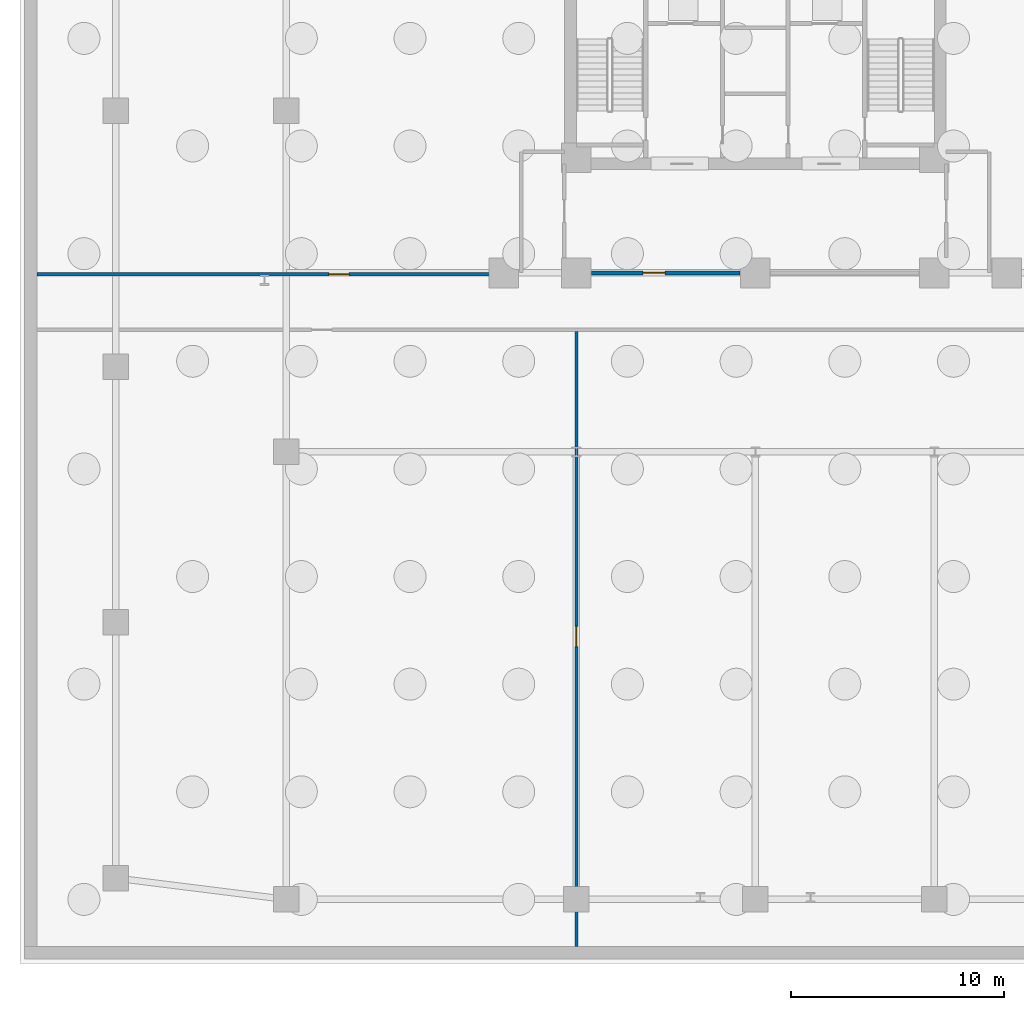
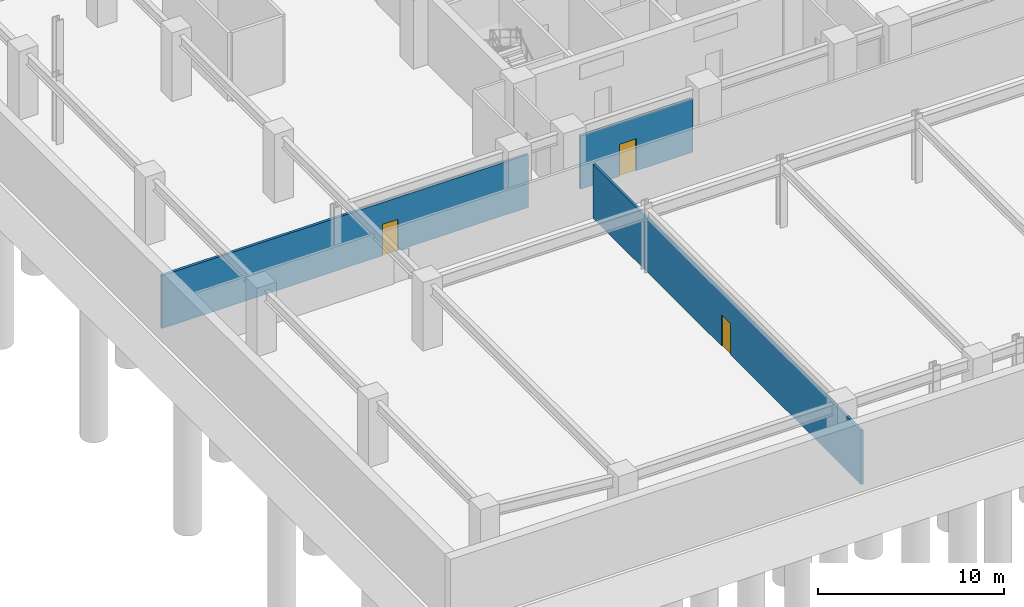
# One storey, part 6 of 15: 3 doors, 3 walls, 3 openings.
"""IFC4 building model written with IfcOpenShell, lengths in metres."""

from ifc_helpers import new_model, si_unit, derived_unit, direction, frame, frame_2d, origin, place, context, subcontext, project, spatial, rectangle, extrude, material, layer, layer_set, type_object, element, fill, save


model = new_model("IFC4")

# Units and contexts
model_context = context("Model", 3, precision=1e-05, world=origin(), true_north=direction((0.0, 1.0)))
body_context = subcontext(model_context, "Body", "Model", "MODEL_VIEW")
ifc_project = project(units=[si_unit("LENGTHUNIT", "METRE"), si_unit("AREAUNIT", "SQUARE_METRE"), si_unit("VOLUMEUNIT", "CUBIC_METRE"), si_unit("PLANEANGLEUNIT", "RADIAN"), si_unit("MASSUNIT", "GRAM", prefix="KILO"), derived_unit("THERMALTRANSMITTANCEUNIT", [(si_unit("POWERUNIT", "WATT"), 1), (si_unit("LENGTHUNIT", "METRE"), -2), (si_unit("THERMODYNAMICTEMPERATUREUNIT", "KELVIN"), -1)])], contexts=[model_context])

# Site, building, storey
site_placement = place(None, origin())
site = spatial("IfcSite", under=ifc_project, at=site_placement, CompositionType="ELEMENT")
building_placement = place(site_placement, origin())
building = spatial("IfcBuilding", under=site, at=building_placement, Name="Korsvarv Bourse and Concert Hall", CompositionType="ELEMENT")
storey_placement = place(building_placement, frame((0.0, 0.0, -9.0)))
storey = spatial("IfcBuildingStorey", under=building, at=storey_placement, Name="B02", CompositionType="ELEMENT", Elevation=-9.0)

# Wall, opening, door
ifc_material_1 = material(Name="Double-stud fire-rated acoustic partition", Category="gypsum")
ifc_layer_1 = layer(ifc_material_1, 0.159912109375)
ifc_layer_set_1 = layer_set([ifc_layer_1], Name="Double-stud fire-rated acoustic partition")
wall_type_1 = type_object("IfcWallType", Name="WL-INT-EI60", PredefinedType="PARTITIONING", material=ifc_layer_set_1)
wall_1_placement = place(storey_placement, frame((2.302001953125, 32.324951171875, 0.0), z_axis=(0.0, 0.0, 1.0), x_axis=(1.0, 0.0, 0.0)))
wall_1 = element("IfcWall", 1, at=wall_1_placement, inside=storey, type_object=wall_type_1, Name="B02 interior partition wall W-B02-BCOR-03", PredefinedType="PARTITIONING", context=body_context, shape_type="SweptSolid", body=[
    extrude(rectangle(XDim=22.72802734375, YDim=0.159912109375, at=frame_2d((11.364013671875, 0.0))), origin(), (0.0, 0.0, 1.0), 3.47998046875),
])
opening_1_placement = place(wall_1_placement, frame((13.69384765625, 0.0, 0.0)))
opening_1 = element("IfcOpeningElement", 2, at=opening_1_placement, cuts=wall_1, Name="Opening D-02", PredefinedType="OPENING", context=body_context, shape_type="SweptSolid", body=[
    extrude(rectangle(XDim=0.949951171875, YDim=2.050048828125, at=frame_2d((0.47509765625, 1.02490234375))), frame((0.0, 0.08984375, 0.0), z_axis=(0.0, -1.0, 0.0), x_axis=(1.0, 0.0, 0.0)), (0.0, 0.0, 1.0), 0.179931640625),
])
ifc_material_2 = material(Name="Timber and steel acoustic fire door", Category="wood")
door_type_1 = type_object("IfcDoorType", Name="DR-FD30", OperationType="NOTDEFINED", PredefinedType="DOOR", material=ifc_material_2)
door_1_placement = place(opening_1_placement, origin())
door_1 = element("IfcDoor", 3, at=door_1_placement, inside=storey, type_object=door_type_1, Name="B02 interior door DR-B02-BCOR-PLT41", OperationType="SINGLE_SWING_RIGHT", OverallHeight=2.050048828125, OverallWidth=0.949951171875, PredefinedType="DOOR", context=body_context, shape_type="SweptSolid", body=[
    extrude(rectangle(XDim=0.949951171875, YDim=2.050048828125, at=frame_2d((0.47509765625, 1.02490234375))), frame((0.0, 0.02490234375, 0.0), z_axis=(0.0, -1.0, 0.0), x_axis=(1.0, 0.0, 0.0)), (0.0, 0.0, 1.0), 0.050048828125),
])
fill(opening_1, door_1)

ifc_material_3 = material(Name="Gypsum-clad autoclaved concrete shaft wall C30/37", Category="concrete")
ifc_layer_2 = layer(ifc_material_3, 0.179931640625)
ifc_layer_set_2 = layer_set([ifc_layer_2], Name="Gypsum-clad autoclaved concrete shaft wall C30/37")
wall_type_2 = type_object("IfcWallType", Name="WL-INT-EI90", PredefinedType="PARTITIONING", material=ifc_layer_set_2)
wall_2_placement = place(storey_placement, frame((28.320068359375, 32.39990234375, 0.0), z_axis=(0.0, 0.0, 1.0), x_axis=(1.0, 0.0, 0.0)))
wall_2 = element("IfcWall", 4, at=wall_2_placement, inside=storey, type_object=wall_type_2, Name="B02 interior partition wall W-B02-CB-SO", PredefinedType="PARTITIONING", context=body_context, shape_type="SweptSolid", body=[
    extrude(rectangle(XDim=6.9599609375, YDim=0.179931640625, at=frame_2d((3.47998046875, 0.0))), origin(), (0.0, 0.0, 1.0), 3.47998046875),
])
opening_2_placement = place(wall_2_placement, frame((2.39990234375, 0.0, 0.0)))
opening_2 = element("IfcOpeningElement", 5, at=opening_2_placement, cuts=wall_2, Name="Opening D-01", PredefinedType="OPENING", context=body_context, shape_type="SweptSolid", body=[
    extrude(rectangle(XDim=1.050048828125, YDim=2.10009765625, at=frame_2d((0.52490234375, 1.050048828125))), frame((0.0, 0.10009765625, 0.0), z_axis=(0.0, -1.0, 0.0), x_axis=(1.0, 0.0, 0.0)), (0.0, 0.0, 1.0), 0.199951171875),
])
ifc_material_4 = material(Name="Steel S355 fire door", Category="steel")
door_type_2 = type_object("IfcDoorType", Name="DR-FD60", OperationType="NOTDEFINED", PredefinedType="DOOR", material=ifc_material_4)
door_2_placement = place(opening_2_placement, frame((1.050048828125, 0.0, 0.0), z_axis=(0.0, 0.0, 1.0), x_axis=(-1.0, 0.0, 0.0)))
door_2 = element("IfcDoor", 6, at=door_2_placement, inside=storey, type_object=door_type_2, Name="B02 interior door DR-B02-CLOB-S", OperationType="SINGLE_SWING_LEFT", OverallHeight=2.10009765625, OverallWidth=1.050048828125, PredefinedType="DOOR", context=body_context, shape_type="SweptSolid", body=[
    extrude(rectangle(XDim=1.050048828125, YDim=2.10009765625, at=frame_2d((0.52490234375, 1.050048828125))), frame((0.0, 0.02490234375, 0.0), z_axis=(0.0, -1.0, 0.0), x_axis=(1.0, 0.0, 0.0)), (0.0, 0.0, 1.0), 0.050048828125),
])
fill(opening_2, door_2)

ifc_material_5 = material(Name="Insulated steel-stud office acoustic partition", Category="gypsum")
ifc_layer_3 = layer(ifc_material_5, 0.139892578125)
ifc_layer_set_3 = layer_set([ifc_layer_3], Name="Insulated steel-stud office acoustic partition")
wall_type_3 = type_object("IfcWallType", Name="WL-INT-P1", PredefinedType="PARTITIONING", material=ifc_layer_set_3)
wall_3_placement = place(storey_placement, frame((27.60498046875, 0.802001953125, 0.0), z_axis=(0.0, 0.0, 1.0), x_axis=(0.0, 1.0, 0.0)))
wall_3 = element("IfcWall", 7, at=wall_3_placement, inside=storey, type_object=wall_type_3, Name="B02 interior partition wall W-B02-BCOR-08", PredefinedType="PARTITIONING", context=body_context, shape_type="SweptSolid", body=[
    extrude(rectangle(XDim=28.841064453125, YDim=0.139892578125, at=frame_2d((14.42041015625, 0.0))), origin(), (0.0, 0.0, 1.0), 3.530029296875),
])
opening_3_placement = place(wall_3_placement, frame((14.054443359375, 0.0, 0.0)))
opening_3 = element("IfcOpeningElement", 8, at=opening_3_placement, cuts=wall_3, Name="Opening D-03", PredefinedType="OPENING", context=body_context, shape_type="SweptSolid", body=[
    extrude(rectangle(XDim=0.949951171875, YDim=2.050048828125, at=frame_2d((0.47509765625, 1.02490234375))), frame((0.0, 0.080078125, 0.0), z_axis=(0.0, -1.0, 0.0), x_axis=(1.0, 0.0, 0.0)), (0.0, 0.0, 1.0), 0.159912109375),
])
ifc_material_6 = material(Name="Nordic oak acoustic office door", Category="wood")
door_type_3 = type_object("IfcDoorType", Name="DR-INT-1", OperationType="NOTDEFINED", PredefinedType="DOOR", material=ifc_material_6)
door_3_placement = place(opening_3_placement, origin())
door_3 = element("IfcDoor", 9, at=door_3_placement, inside=storey, type_object=door_type_3, Name="B02 interior door DR-B02-BCOR-PLT25", OperationType="SINGLE_SWING_LEFT", OverallHeight=2.050048828125, OverallWidth=0.949951171875, PredefinedType="DOOR", context=body_context, shape_type="SweptSolid", body=[
    extrude(rectangle(XDim=0.949951171875, YDim=2.050048828125, at=frame_2d((0.47509765625, 1.02490234375))), frame((0.0, 0.02490234375, 0.0), z_axis=(0.0, -1.0, 0.0), x_axis=(1.0, 0.0, 0.0)), (0.0, 0.0, 1.0), 0.050048828125),
])
fill(opening_3, door_3)

save(model, "model.ifc")
